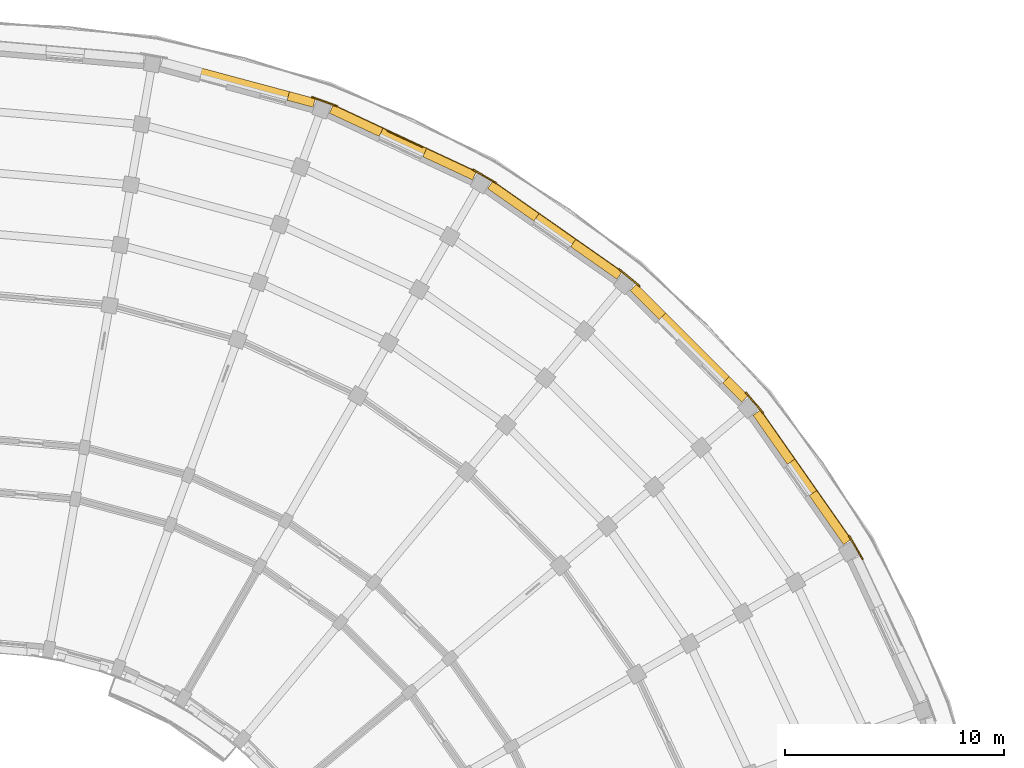
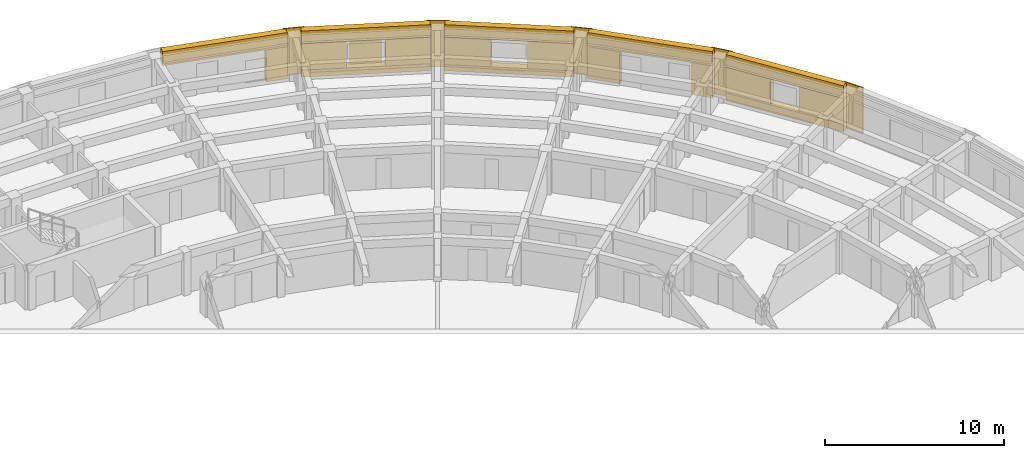
# One storey, part 54 of 54: 22 coverings, 1 shading device.
"""IFC4 building model written with IfcOpenShell, lengths in metres."""

from ifc_helpers import new_model, si_unit, direction, frame, origin, origin_2d, place, context, subcontext, project, spatial, polyline, rectangle, outline, extrude, material, layer, layer_set, type_object, element, save


model = new_model("IFC4")

# Units and contexts
model_context = context("Model", 3, precision=1e-05, world=origin(), true_north=direction((0.0, 1.0)))
body_context = subcontext(model_context, "Body", "Model", "MODEL_VIEW")
ifc_project = project(units=[si_unit("LENGTHUNIT", "METRE"), si_unit("AREAUNIT", "SQUARE_METRE"), si_unit("VOLUMEUNIT", "CUBIC_METRE"), si_unit("PLANEANGLEUNIT", "RADIAN"), si_unit("MASSUNIT", "GRAM", prefix="KILO")], contexts=[model_context])

# Site, building, storey
site_placement = place(None, origin())
site = spatial("IfcSite", under=ifc_project, at=site_placement, CompositionType="ELEMENT")
building_placement = place(site_placement, origin())
building = spatial("IfcBuilding", under=site, at=building_placement, Name="Kiranvali Square Residences", CompositionType="ELEMENT")
storey_placement = place(building_placement, frame((0.0, 0.0, 27.60009765625)))
storey = spatial("IfcBuildingStorey", under=building, at=storey_placement, Name="L08", CompositionType="ELEMENT", Elevation=27.60009765625)

# Coverings
ifc_material_1 = material(Name="Honed Porbandar limestone ashlar facade cladding", Category="masonry")
ifc_layer_1 = layer(ifc_material_1, 0.3798828125)
ifc_layer_set_1 = layer_set([ifc_layer_1], Name="Honed Porbandar limestone ashlar facade cladding")
covering_type_1 = type_object("IfcCoveringType", Name="COV-CLAD-JAMB", PredefinedType="CLADDING", material=ifc_layer_set_1)
covering_1_placement = place(storey_placement, origin())
element("IfcCovering", 1, at=covering_1_placement, inside=storey, type_object=covering_type_1, Name="L08 deep limestone window jamb reveal B-L08-CRV-01.R", PredefinedType="CLADDING", context=body_context, shape_type="SweptSolid", body=[
    extrude(outline(polyline([(133.961669921875, 131.447265625), (135.146728515625, 131.1298828125), (135.252685546875, 131.525390625), (134.067626953125, 131.843017578125), (133.961669921875, 131.447265625)])), origin(), (0.0, 0.0, 1.0), 2.179931640625),
])
covering_2_placement = place(storey_placement, frame((0.0, 0.0, 0.47998046875)))
element("IfcCovering", 2, at=covering_2_placement, inside=storey, type_object=covering_type_1, Name="L08 deep limestone window jamb reveal B-L08-CRV-02.L", PredefinedType="CLADDING", context=body_context, shape_type="SweptSolid", body=[
    extrude(outline(polyline([(135.895751953125, 130.857177734375), (138.169677734375, 129.796875), (138.3427734375, 130.16796875), (136.068603515625, 131.228515625), (135.895751953125, 130.857177734375)])), origin(), (0.0, 0.0, 1.0), 1.7998046875),
])
covering_3_placement = place(storey_placement, frame((0.0, 0.0, 0.47998046875)))
element("IfcCovering", 3, at=covering_3_placement, inside=storey, type_object=covering_type_1, Name="L08 deep limestone window jamb reveal B-L08-CRV-02.R", PredefinedType="CLADDING", context=body_context, shape_type="SweptSolid", body=[
    extrude(outline(polyline([(140.16357421875, 128.8671875), (142.437744140625, 127.806640625), (142.61083984375, 128.177734375), (140.336669921875, 129.23828125), (140.16357421875, 128.8671875)])), origin(), (0.0, 0.0, 1.0), 1.7998046875),
])
covering_4_placement = place(storey_placement, frame((0.0, 0.0, 0.429931640625)))
element("IfcCovering", 4, at=covering_4_placement, inside=storey, type_object=covering_type_1, Name="L08 deep limestone window jamb reveal B-L08-CRV-03.L", PredefinedType="CLADDING", context=body_context, shape_type="SweptSolid", body=[
    extrude(outline(polyline([(143.1279296875, 127.408203125), (145.244873046875, 125.926025390625), (145.479736328125, 126.261474609375), (143.36279296875, 127.74365234375), (143.1279296875, 127.408203125)])), origin(), (0.0, 0.0, 1.0), 1.849853515625),
])
covering_5_placement = place(storey_placement, frame((0.0, 0.0, 0.429931640625)))
element("IfcCovering", 5, at=covering_5_placement, inside=storey, type_object=covering_type_1, Name="L08 deep limestone window jamb reveal B-L08-CRV-03.R", PredefinedType="CLADDING", context=body_context, shape_type="SweptSolid", body=[
    extrude(outline(polyline([(146.924072265625, 124.75), (149.040771484375, 123.267822265625), (149.275634765625, 123.603271484375), (147.158935546875, 125.08544921875), (146.924072265625, 124.75)])), origin(), (0.0, 0.0, 1.0), 1.849853515625),
])
covering_6_placement = place(storey_placement, origin())
element("IfcCovering", 6, at=covering_6_placement, inside=storey, type_object=covering_type_1, Name="L08 deep limestone window jamb reveal B-L08-CRV-04.L", PredefinedType="CLADDING", context=body_context, shape_type="SweptSolid", body=[
    extrude(outline(polyline([(149.6513671875, 122.755615234375), (150.978271484375, 121.4287109375), (151.267822265625, 121.71826171875), (149.94091796875, 123.045166015625), (149.6513671875, 122.755615234375)])), origin(), (0.0, 0.0, 1.0), 2.179931640625),
])
covering_7_placement = place(storey_placement, origin())
element("IfcCovering", 7, at=covering_7_placement, inside=storey, type_object=covering_type_1, Name="L08 deep limestone window jamb reveal B-L08-CRV-04.R", PredefinedType="CLADDING", context=body_context, shape_type="SweptSolid", body=[
    extrude(outline(polyline([(153.88818359375, 118.518798828125), (154.755615234375, 117.6513671875), (155.045166015625, 117.94091796875), (154.177734375, 118.808349609375), (153.88818359375, 118.518798828125)])), origin(), (0.0, 0.0, 1.0), 2.179931640625),
])
covering_8_placement = place(storey_placement, frame((0.0, 0.0, 0.52978515625)))
element("IfcCovering", 8, at=covering_8_placement, inside=storey, type_object=covering_type_1, Name="L08 deep limestone window jamb reveal B-L08-CRV-05.L", PredefinedType="CLADDING", context=body_context, shape_type="SweptSolid", body=[
    extrude(outline(polyline([(155.267822265625, 117.040771484375), (156.836181640625, 114.80126953125), (157.171630859375, 115.0361328125), (155.603271484375, 117.275634765625), (155.267822265625, 117.040771484375)])), origin(), (0.0, 0.0, 1.0), 1.75),
])
covering_9_placement = place(storey_placement, frame((0.0, 0.0, 0.52978515625)))
element("IfcCovering", 9, at=covering_9_placement, inside=storey, type_object=covering_type_1, Name="L08 deep limestone window jamb reveal B-L08-CRV-05.R", PredefinedType="CLADDING", context=body_context, shape_type="SweptSolid", body=[
    extrude(outline(polyline([(157.83984375, 113.36767578125), (159.408203125, 111.1279296875), (159.74365234375, 111.36279296875), (158.17529296875, 113.6025390625), (157.83984375, 113.36767578125)])), origin(), (0.0, 0.0, 1.0), 1.75),
])
ifc_layer_2 = layer(ifc_material_1, 0.06494140625)
ifc_layer_set_2 = layer_set([ifc_layer_2], Name="Honed Porbandar limestone ashlar facade cladding")
covering_type_2 = type_object("IfcCoveringType", Name="COV-CLAD-PIER", PredefinedType="CLADDING", material=ifc_layer_set_2)
covering_10_placement = place(storey_placement, frame((0.0, 0.0, 0.0048828125)))
element("IfcCovering", 10, at=covering_10_placement, inside=storey, type_object=covering_type_2, Name="L08 Classical limestone corner pilaster CLAD-PR-B-L08-A02", PredefinedType="CLADDING", context=body_context, shape_type="SweptSolid", body=[
    extrude(outline(polyline([(136.267822265625, 131.203125), (135.083984375, 131.634033203125), (135.060791015625, 131.57080078125), (136.244873046875, 131.1396484375), (136.267822265625, 131.203125)])), origin(), (0.0, 0.0, 1.0), 3.14013671875),
])
covering_11_placement = place(storey_placement, frame((0.0, 0.0, 0.0048828125)))
element("IfcCovering", 11, at=covering_11_placement, inside=storey, type_object=covering_type_2, Name="L08 Classical limestone corner pilaster CLAD-PR-B-L08-A03", PredefinedType="CLADDING", context=body_context, shape_type="SweptSolid", body=[
    extrude(outline(polyline([(143.5546875, 127.68408203125), (142.46337890625, 128.314208984375), (142.4296875, 128.255615234375), (143.520751953125, 127.625732421875), (143.5546875, 127.68408203125)])), origin(), (0.0, 0.0, 1.0), 3.14013671875),
])
covering_12_placement = place(storey_placement, frame((0.0, 0.0, 0.0048828125)))
element("IfcCovering", 12, at=covering_12_placement, inside=storey, type_object=covering_type_2, Name="L08 Classical limestone corner pilaster CLAD-PR-B-L08-A04", PredefinedType="CLADDING", context=body_context, shape_type="SweptSolid", body=[
    extrude(outline(polyline([(150.11962890625, 122.953369140625), (149.154296875, 123.76318359375), (149.11083984375, 123.71142578125), (150.076171875, 122.901611328125), (150.11962890625, 122.953369140625)])), origin(), (0.0, 0.0, 1.0), 3.14013671875),
])
covering_13_placement = place(storey_placement, frame((0.0, 0.0, 0.0048828125)))
element("IfcCovering", 13, at=covering_13_placement, inside=storey, type_object=covering_type_2, Name="L08 Classical limestone corner pilaster CLAD-PR-B-L08-A05", PredefinedType="CLADDING", context=body_context, shape_type="SweptSolid", body=[
    extrude(outline(polyline([(155.76318359375, 117.154296875), (154.953369140625, 118.11962890625), (154.901611328125, 118.076171875), (155.71142578125, 117.11083984375), (155.76318359375, 117.154296875)])), origin(), (0.0, 0.0, 1.0), 3.14013671875),
])
covering_14_placement = place(storey_placement, frame((0.0, 0.0, 0.0048828125)))
element("IfcCovering", 14, at=covering_14_placement, inside=storey, type_object=covering_type_2, Name="L08 Classical limestone corner pilaster CLAD-PR-B-L08-A06", PredefinedType="CLADDING", context=body_context, shape_type="SweptSolid", body=[
    extrude(outline(polyline([(160.314208984375, 110.46337890625), (159.68408203125, 111.5546875), (159.625732421875, 111.520751953125), (160.255615234375, 110.4296875), (160.314208984375, 110.46337890625)])), origin(), (0.0, 0.0, 1.0), 3.14013671875),
])
ifc_layer_3 = layer(ifc_material_1, 0.360107421875)
ifc_layer_set_3 = layer_set([ifc_layer_3], Name="Honed Porbandar limestone ashlar facade cladding")
covering_type_3 = type_object("IfcCoveringType", Name="COV-CLAD-WALL", PredefinedType="CLADDING", material=ifc_layer_set_3)
covering_15_placement = place(storey_placement, frame((0.0, 0.0, 2.179931640625)))
element("IfcCovering", 15, at=covering_15_placement, inside=storey, type_object=covering_type_3, Name="L08 light limestone spandrel lintel B-L08-CRV-01", PredefinedType="CLADDING", context=body_context, shape_type="SweptSolid", body=[
    extrude(outline(polyline([(128.17431640625, 132.998046875), (135.146728515625, 131.1298828125), (135.252685546875, 131.525390625), (128.2802734375, 133.3935546875), (128.17431640625, 132.998046875)])), origin(), (0.0, 0.0, 1.0), 0.965087890625),
])
covering_16_placement = place(storey_placement, frame((0.0, 0.0, 2.27978515625)))
element("IfcCovering", 16, at=covering_16_placement, inside=storey, type_object=covering_type_3, Name="L08 light limestone spandrel lintel B-L08-CRV-02", PredefinedType="CLADDING", context=body_context, shape_type="SweptSolid", body=[
    extrude(outline(polyline([(135.895751953125, 130.857177734375), (142.437744140625, 127.806640625), (142.61083984375, 128.177734375), (136.068603515625, 131.228515625), (135.895751953125, 130.857177734375)])), origin(), (0.0, 0.0, 1.0), 0.865234375),
])
covering_17_placement = place(storey_placement, frame((0.0, 0.0, 0.0048828125)))
element("IfcCovering", 17, at=covering_17_placement, inside=storey, type_object=covering_type_3, Name="L08 limestone window sill apron B-L08-CRV-02", PredefinedType="CLADDING", context=body_context, shape_type="SweptSolid", body=[
    extrude(outline(polyline([(135.895751953125, 130.857177734375), (142.437744140625, 127.806640625), (142.62353515625, 128.205078125), (136.081298828125, 131.255615234375), (135.895751953125, 130.857177734375)])), origin(), (0.0, 0.0, 1.0), 0.47509765625),
])
covering_18_placement = place(storey_placement, frame((0.0, 0.0, 2.27978515625)))
element("IfcCovering", 18, at=covering_18_placement, inside=storey, type_object=covering_type_3, Name="L08 light limestone spandrel lintel B-L08-CRV-03", PredefinedType="CLADDING", context=body_context, shape_type="SweptSolid", body=[
    extrude(outline(polyline([(143.1279296875, 127.408203125), (149.040771484375, 123.267822265625), (149.275634765625, 123.603271484375), (143.36279296875, 127.74365234375), (143.1279296875, 127.408203125)])), origin(), (0.0, 0.0, 1.0), 0.865234375),
])
covering_19_placement = place(storey_placement, frame((0.0, 0.0, 0.0048828125)))
element("IfcCovering", 19, at=covering_19_placement, inside=storey, type_object=covering_type_3, Name="L08 limestone window sill apron B-L08-CRV-03", PredefinedType="CLADDING", context=body_context, shape_type="SweptSolid", body=[
    extrude(outline(polyline([(143.1279296875, 127.408203125), (149.040771484375, 123.267822265625), (149.29296875, 123.6279296875), (143.380126953125, 127.76806640625), (143.1279296875, 127.408203125)])), origin(), (0.0, 0.0, 1.0), 0.425048828125),
])
covering_20_placement = place(storey_placement, frame((0.0, 0.0, 2.179931640625)))
element("IfcCovering", 20, at=covering_20_placement, inside=storey, type_object=covering_type_3, Name="L08 light limestone spandrel lintel B-L08-CRV-04", PredefinedType="CLADDING", context=body_context, shape_type="SweptSolid", body=[
    extrude(outline(polyline([(149.6513671875, 122.755615234375), (154.755615234375, 117.6513671875), (155.045166015625, 117.94091796875), (149.94091796875, 123.045166015625), (149.6513671875, 122.755615234375)])), origin(), (0.0, 0.0, 1.0), 0.965087890625),
])
covering_21_placement = place(storey_placement, frame((0.0, 0.0, 2.27978515625)))
element("IfcCovering", 21, at=covering_21_placement, inside=storey, type_object=covering_type_3, Name="L08 light limestone spandrel lintel B-L08-CRV-05", PredefinedType="CLADDING", context=body_context, shape_type="SweptSolid", body=[
    extrude(outline(polyline([(155.267822265625, 117.040771484375), (159.408203125, 111.1279296875), (159.74365234375, 111.36279296875), (155.603271484375, 117.275634765625), (155.267822265625, 117.040771484375)])), origin(), (0.0, 0.0, 1.0), 0.865234375),
])
covering_22_placement = place(storey_placement, frame((0.0, 0.0, 0.0048828125)))
element("IfcCovering", 22, at=covering_22_placement, inside=storey, type_object=covering_type_3, Name="L08 limestone window sill apron B-L08-CRV-05", PredefinedType="CLADDING", context=body_context, shape_type="SweptSolid", body=[
    extrude(outline(polyline([(155.267822265625, 117.040771484375), (159.408203125, 111.1279296875), (159.76806640625, 111.380126953125), (155.6279296875, 117.29296875), (155.267822265625, 117.040771484375)])), origin(), (0.0, 0.0, 1.0), 0.52490234375),
])

# Shading device
ifc_material_2 = material(Name="Pierced buff sandstone architectural mashrabiya solar screen", Category="masonry")
shading_device_type = type_object("IfcShadingDeviceType", Name="SHD-JALI-2100", PredefinedType="JALOUSIE", material=ifc_material_2)
shading_device_placement = place(storey_placement, frame((139.331298828125, 129.68505859375, 0.47998046875), z_axis=(0.0, 0.0, 1.0), x_axis=(0.906307787037, -0.422618261741, 0.0)))
element("IfcShadingDevice", 23, at=shading_device_placement, inside=storey, type_object=shading_device_type, Name="L08 carved stone Mashrabiya screen B-L08-CRV-02", PredefinedType="JALOUSIE", context=body_context, shape_type="SweptSolid", body=[
    extrude(rectangle(XDim=1.800048828125, YDim=0.044921875, at=origin_2d()), origin(), (0.0, 0.0, 1.0), 1.800048828125),
])

save(model, "model.ifc")
